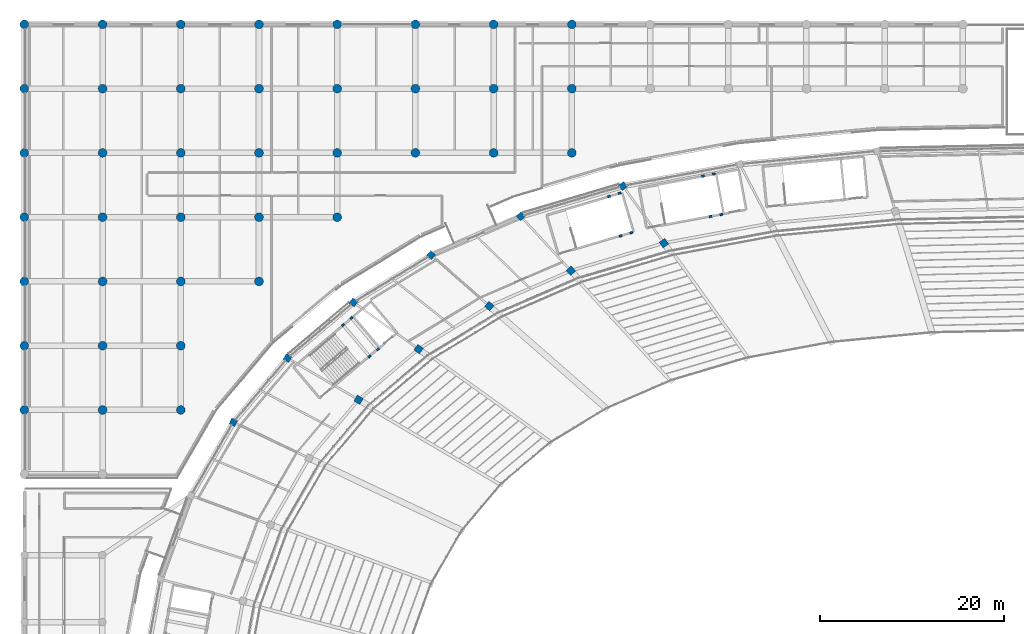
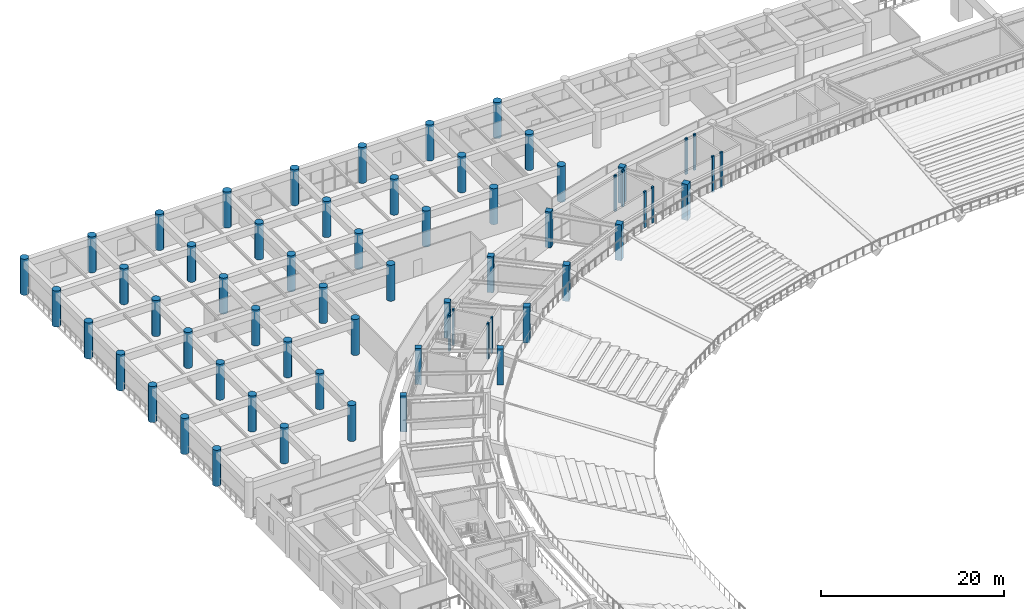
# One storey, part 7 of 137: 62 columns.
"""IFC4 building model written with IfcOpenShell, lengths in metres."""

from ifc_helpers import new_model, si_unit, direction, frame, origin, origin_2d, place, context, subcontext, project, spatial, rectangle, circle, extrude, material, material_profile, profile_set, type_object, element, save


model = new_model("IFC4")

# Units and contexts
model_context = context("Model", 3, precision=1e-05, world=origin(), true_north=direction((0.0, 1.0)))
body_context = subcontext(model_context, "Body", "Model", "MODEL_VIEW")
ifc_project = project(units=[si_unit("LENGTHUNIT", "METRE"), si_unit("AREAUNIT", "SQUARE_METRE"), si_unit("VOLUMEUNIT", "CUBIC_METRE"), si_unit("PLANEANGLEUNIT", "RADIAN"), si_unit("MASSUNIT", "GRAM", prefix="KILO")], contexts=[model_context])

# Site, building, storey
site_placement = place(None, origin())
site = spatial("IfcSite", under=ifc_project, at=site_placement, CompositionType="ELEMENT")
building_placement = place(site_placement, origin())
building = spatial("IfcBuilding", under=site, at=building_placement, Name="Mphavela Belvedere Stadium", CompositionType="ELEMENT")
storey_placement = place(building_placement, frame((0.0, 0.0, 19.199951171875)))
storey = spatial("IfcBuildingStorey", under=building, at=storey_placement, Name="L04", CompositionType="ELEMENT", Elevation=19.199951171875)

# Columns
ifc_material_1 = material(Name="Concrete C40/50", Category="concrete")
ifc_material_profile_1 = material_profile(ifc_material_1, rectangle(XDim=0.300048828125, YDim=0.219970703125, at=origin_2d()), Name="RC 300x220")
ifc_profile_set_1 = profile_set([ifc_material_profile_1], Name="Concrete C40/50")
column_type_1 = type_object("IfcColumnType", Name="COL-CORE-POST-300", PredefinedType="COLUMN", material=ifc_profile_set_1)
for number, where, z_axis, x_axis, name in (
    (1, (74.728515625, 153.078125, 0.0), (0.0, 0.0, 1.0), (0.983095502692, 0.183093507769, 0.0), "Core C02 stair frame column L04-1"),
    (2, (75.908203125, 153.2978515625, 0.0), (0.0, 0.0, 1.0), (0.983095502692, 0.183093507769, 0.0), "Core C02 stair frame column L04-2"),
    (3, (75.08984375, 157.6923828125, 0.0), (0.0, 0.0, 1.0), (0.983095502692, 0.183093507769, 0.0), "Core C02 stair frame column L04-3"),
    (4, (73.91015625, 157.47265625, 0.0), (0.0, 0.0, 1.0), (0.983095502692, 0.183093507769, 0.0), "Core C02 stair frame column L04-4"),
    (5, (37.5927734375, 137.838623046875, 0.0), (0.0, 0.0, 1.0), (0.764246456939, 0.644924300253, 0.0), "Core C05 stair frame column L04-1"),
    (6, (38.510009765625, 138.612548828125, 0.0), (0.0, 0.0, 1.0), (0.764246456939, 0.644924300253, 0.0), "Core C05 stair frame column L04-2"),
    (7, (35.627197265625, 142.02880859375, 0.0), (0.0, 0.0, 1.0), (0.764246456939, 0.644924300253, 0.0), "Core C05 stair frame column L04-3"),
    (8, (34.7099609375, 141.2548828125, 0.0), (0.0, 0.0, 1.0), (0.764246456939, 0.644924300253, 0.0), "Core C05 stair frame column L04-4"),
    (9, (64.94580078125, 150.971923828125, 0.0), (0.0, 0.0, 1.0), (0.958670893355, 0.284517342588, 0.0), "Core P03 stair frame column L04-1"),
    (10, (66.09619140625, 151.313232421875, 0.0), (0.0, 0.0, 1.0), (0.958670893355, 0.284517342588, 0.0), "Core P03 stair frame column L04-2"),
    (11, (64.824462890625, 155.5986328125, 0.0), (0.0, 0.0, 1.0), (0.958670893355, 0.284517342588, 0.0), "Core P03 stair frame column L04-3"),
    (12, (63.674072265625, 155.257080078125, 0.0), (0.0, 0.0, 1.0), (0.958670893355, 0.284517342588, 0.0), "Core P03 stair frame column L04-4"),
):
    element("IfcColumn", number, at=place(storey_placement, frame(where, z_axis=z_axis, x_axis=x_axis)), inside=storey, type_object=column_type_1, Name=name, PredefinedType="COLUMN", context=body_context, shape_type="SweptSolid", body=[
        extrude(rectangle(XDim=0.300048828125, YDim=0.219970703125, at=origin_2d()), origin(), (0.0, 0.0, 1.0), 4.800048828125),
    ])
ifc_material_2 = material(Name="Concrete C40/50", Category="concrete")
ifc_material_profile_2 = material_profile(ifc_material_2, circle(Radius=0.47509765625, at=origin_2d()), Name="COL D950")
ifc_profile_set_2 = profile_set([ifc_material_profile_2], Name="Concrete C40/50")
column_type_2 = type_object("IfcColumnType", Name="COL-DORIC-950", PredefinedType="COLUMN", material=ifc_profile_set_2)
for number, where, z_axis, x_axis, name in (
    (13, (0.0, 132.0, 0.0), (0.0, 0.0, 1.0), (1.0, 0.0, 0.0), "North Mast and Ceremonial End Forecourt classical column L04 1-2"),
    (14, (0.0, 139.0, 0.0), (0.0, 0.0, 1.0), (1.0, 0.0, 0.0), "North Mast and Ceremonial End Forecourt classical column L04 1-3"),
    (15, (0.0, 146.0, 0.0), (0.0, 0.0, 1.0), (1.0, 0.0, 0.0), "North Mast and Ceremonial End Forecourt classical column L04 1-4"),
    (16, (0.0, 153.0, 0.0), (0.0, 0.0, 1.0), (1.0, 0.0, 0.0), "North Mast and Ceremonial End Forecourt classical column L04 1-5"),
    (17, (0.0, 160.0, 0.0), (0.0, 0.0, 1.0), (1.0, 0.0, 0.0), "North Mast and Ceremonial End Forecourt classical column L04 1-6"),
    (18, (0.0, 167.0, 0.0), (0.0, 0.0, 1.0), (1.0, 0.0, 0.0), "North Mast and Ceremonial End Forecourt classical column L04 1-7"),
    (19, (0.0, 174.0, 0.0), (0.0, 0.0, 1.0), (1.0, 0.0, 0.0), "North Mast and Ceremonial End Forecourt classical column L04 1-8"),
    (20, (8.51904296875, 132.0, 0.0), (0.0, 0.0, 1.0), (1.0, 0.0, 0.0), "North Mast and Ceremonial End Forecourt classical column L04 2-2"),
    (21, (8.51904296875, 139.0, 0.0), (0.0, 0.0, 1.0), (1.0, 0.0, 0.0), "North Mast and Ceremonial End Forecourt classical column L04 2-3"),
    (22, (8.51904296875, 146.0, 0.0), (0.0, 0.0, 1.0), (1.0, 0.0, 0.0), "North Mast and Ceremonial End Forecourt classical column L04 2-4"),
    (23, (8.51904296875, 153.0, 0.0), (0.0, 0.0, 1.0), (1.0, 0.0, 0.0), "North Mast and Ceremonial End Forecourt classical column L04 2-5"),
    (24, (8.51904296875, 160.0, 0.0), (0.0, 0.0, 1.0), (1.0, 0.0, 0.0), "North Mast and Ceremonial End Forecourt classical column L04 2-6"),
    (25, (8.51904296875, 167.0, 0.0), (0.0, 0.0, 1.0), (1.0, 0.0, 0.0), "North Mast and Ceremonial End Forecourt classical column L04 2-7"),
    (26, (8.51904296875, 174.0, 0.0), (0.0, 0.0, 1.0), (1.0, 0.0, 0.0), "North Mast and Ceremonial End Forecourt classical column L04 2-8"),
    (27, (17.037109375, 132.0, 0.0), (0.0, 0.0, 1.0), (1.0, 0.0, 0.0), "North Mast and Ceremonial End Forecourt classical column L04 3-2"),
    (28, (17.037109375, 139.0, 0.0), (0.0, 0.0, 1.0), (1.0, 0.0, 0.0), "North Mast and Ceremonial End Forecourt classical column L04 3-3"),
    (29, (17.037109375, 146.0, 0.0), (0.0, 0.0, 1.0), (1.0, 0.0, 0.0), "North Mast and Ceremonial End Forecourt classical column L04 3-4"),
    (30, (17.037109375, 153.0, 0.0), (0.0, 0.0, 1.0), (1.0, 0.0, 0.0), "North Mast and Ceremonial End Forecourt classical column L04 3-5"),
    (31, (17.037109375, 160.0, 0.0), (0.0, 0.0, 1.0), (1.0, 0.0, 0.0), "North Mast and Ceremonial End Forecourt classical column L04 3-6"),
    (32, (17.037109375, 167.0, 0.0), (0.0, 0.0, 1.0), (1.0, 0.0, 0.0), "North Mast and Ceremonial End Forecourt classical column L04 3-7"),
    (33, (17.037109375, 174.0, 0.0), (0.0, 0.0, 1.0), (1.0, 0.0, 0.0), "North Mast and Ceremonial End Forecourt classical column L04 3-8"),
    (34, (25.555908203125, 146.0, 0.0), (0.0, 0.0, 1.0), (1.0, 0.0, 0.0), "North Mast and Ceremonial End Forecourt classical column L04 4-4"),
    (35, (25.555908203125, 153.0, 0.0), (0.0, 0.0, 1.0), (1.0, 0.0, 0.0), "North Mast and Ceremonial End Forecourt classical column L04 4-5"),
    (36, (25.555908203125, 160.0, 0.0), (0.0, 0.0, 1.0), (1.0, 0.0, 0.0), "North Mast and Ceremonial End Forecourt classical column L04 4-6"),
    (37, (25.555908203125, 167.0, 0.0), (0.0, 0.0, 1.0), (1.0, 0.0, 0.0), "North Mast and Ceremonial End Forecourt classical column L04 4-7"),
    (38, (25.555908203125, 174.0, 0.0), (0.0, 0.0, 1.0), (1.0, 0.0, 0.0), "North Mast and Ceremonial End Forecourt classical column L04 4-8"),
    (39, (34.073974609375, 153.0, 0.0), (0.0, 0.0, 1.0), (1.0, 0.0, 0.0), "North Mast and Ceremonial End Forecourt classical column L04 5-5"),
    (40, (34.073974609375, 160.0, 0.0), (0.0, 0.0, 1.0), (1.0, 0.0, 0.0), "North Mast and Ceremonial End Forecourt classical column L04 5-6"),
    (41, (34.073974609375, 167.0, 0.0), (0.0, 0.0, 1.0), (1.0, 0.0, 0.0), "North Mast and Ceremonial End Forecourt classical column L04 5-7"),
    (42, (34.073974609375, 174.0, 0.0), (0.0, 0.0, 1.0), (1.0, 0.0, 0.0), "North Mast and Ceremonial End Forecourt classical column L04 5-8"),
    (43, (42.593017578125, 160.0, 0.0), (0.0, 0.0, 1.0), (1.0, 0.0, 0.0), "North Mast and Ceremonial End Forecourt classical column L04 6-6"),
    (44, (42.593017578125, 167.0, 0.0), (0.0, 0.0, 1.0), (1.0, 0.0, 0.0), "North Mast and Ceremonial End Forecourt classical column L04 6-7"),
    (45, (42.593017578125, 174.0, 0.0), (0.0, 0.0, 1.0), (1.0, 0.0, 0.0), "North Mast and Ceremonial End Forecourt classical column L04 6-8"),
    (46, (51.111083984375, 160.0, 0.0), (0.0, 0.0, 1.0), (1.0, 0.0, 0.0), "North Mast and Ceremonial End Forecourt classical column L04 7-6"),
    (47, (51.111083984375, 167.0, 0.0), (0.0, 0.0, 1.0), (1.0, 0.0, 0.0), "North Mast and Ceremonial End Forecourt classical column L04 7-7"),
    (48, (51.111083984375, 174.0, 0.0), (0.0, 0.0, 1.0), (1.0, 0.0, 0.0), "North Mast and Ceremonial End Forecourt classical column L04 7-8"),
    (49, (59.6298828125, 160.0, 0.0), (0.0, 0.0, 1.0), (1.0, 0.0, 0.0), "North Mast and Ceremonial End Forecourt classical column L04 8-6"),
    (50, (59.6298828125, 167.0, 0.0), (0.0, 0.0, 1.0), (1.0, 0.0, 0.0), "North Mast and Ceremonial End Forecourt classical column L04 8-7"),
    (51, (59.6298828125, 174.0, 0.0), (0.0, 0.0, 1.0), (1.0, 0.0, 0.0), "North Mast and Ceremonial End Forecourt classical column L04 8-8"),
):
    element("IfcColumn", number, at=place(storey_placement, frame(where, z_axis=z_axis, x_axis=x_axis)), inside=storey, type_object=column_type_2, Name=name, PredefinedType="COLUMN", context=body_context, shape_type="SweptSolid", body=[
        extrude(circle(Radius=0.47509765625, at=origin_2d()), origin(), (0.0, 0.0, 1.0), 4.800048828125),
    ])
ifc_material_3 = material(Name="Concrete C40/50", Category="concrete")
ifc_material_profile_3 = material_profile(ifc_material_3, rectangle(XDim=0.699951171875, YDim=0.699951171875, at=origin_2d()), Name="RC 700x700")
ifc_profile_set_3 = profile_set([ifc_material_profile_3], Name="Concrete C40/50")
column_type_3 = type_object("IfcColumnType", Name="COL-RC700", PredefinedType="COLUMN", material=ifc_profile_set_3)
for number, where, z_axis, x_axis, name in (
    (52, (65.19873046875, 156.39697265625, 0.0), (0.0, 0.0, 1.0), (-0.582974127943, 0.812490717577, 0.0), "Outer colonnade column L04 R4-16"),
    (53, (54.0625, 153.09130859375, 0.0), (0.0, 0.0, 1.0), (-0.677903094969, 0.735151272753, 0.0), "Outer colonnade column L04 R4-17"),
    (54, (44.3037109375, 148.86083984375, 0.0), (0.0, 0.0, 1.0), (-0.752529860433, 0.658558128912, 0.0), "Outer colonnade column L04 R4-18"),
    (55, (35.844482421875, 143.714599609375, 0.0), (0.0, 0.0, 1.0), (-0.812897512265, 0.582406760395, 0.0), "Outer colonnade column L04 R4-19"),
    (56, (28.66162109375, 137.653564453125, 0.0), (0.0, 0.0, 1.0), (-0.862513669207, 0.506033764121, 0.0), "Outer colonnade column L04 R4-20"),
    (57, (22.757568359375, 130.66162109375, 0.0), (0.0, 0.0, 1.0), (-0.903858661687, 0.4278311813, 0.0), "Outer colonnade column L04 R4-21"),
):
    element("IfcColumn", number, at=place(storey_placement, frame(where, z_axis=z_axis, x_axis=x_axis)), inside=storey, type_object=column_type_3, Name=name, PredefinedType="COLUMN", context=body_context, shape_type="SweptSolid", body=[
        extrude(rectangle(XDim=0.699951171875, YDim=0.699951171875, at=origin_2d()), origin(), (0.0, 0.0, 1.0), 4.800048828125),
    ])
ifc_material_4 = material(Name="Concrete C40/50", Category="concrete")
ifc_material_profile_4 = material_profile(ifc_material_4, rectangle(XDim=0.75, YDim=0.75, at=origin_2d()), Name="RC 750x750")
ifc_profile_set_4 = profile_set([ifc_material_profile_4], Name="Concrete C40/50")
column_type_4 = type_object("IfcColumnType", Name="COL-RC750", PredefinedType="COLUMN", material=ifc_profile_set_4)
for number, where, z_axis, x_axis, name in (
    (58, (69.662109375, 150.177490234375, 0.0), (0.0, 0.0, 1.0), (-0.582974127943, 0.812490717577, 0.0), "Main bowl column L04 R3-16"),
    (59, (59.523681640625, 147.16796875, 0.0), (0.0, 0.0, 1.0), (-0.677903094969, 0.735151272753, 0.0), "Main bowl column L04 R3-17"),
    (60, (50.639892578125, 143.31689453125, 0.0), (0.0, 0.0, 1.0), (-0.752529860433, 0.658558128912, 0.0), "Main bowl column L04 R3-18"),
    (61, (42.938720703125, 138.631591796875, 0.0), (0.0, 0.0, 1.0), (-0.812897512265, 0.582406760395, 0.0), "Main bowl column L04 R3-19"),
    (62, (36.399658203125, 133.11376953125, 0.0), (0.0, 0.0, 1.0), (-0.862513669207, 0.506033764121, 0.0), "Main bowl column L04 R3-20"),
):
    element("IfcColumn", number, at=place(storey_placement, frame(where, z_axis=z_axis, x_axis=x_axis)), inside=storey, type_object=column_type_4, Name=name, PredefinedType="COLUMN", context=body_context, shape_type="SweptSolid", body=[
        extrude(rectangle(XDim=0.75, YDim=0.75, at=origin_2d()), origin(), (0.0, 0.0, 1.0), 4.800048828125),
    ])

save(model, "model.ifc")
